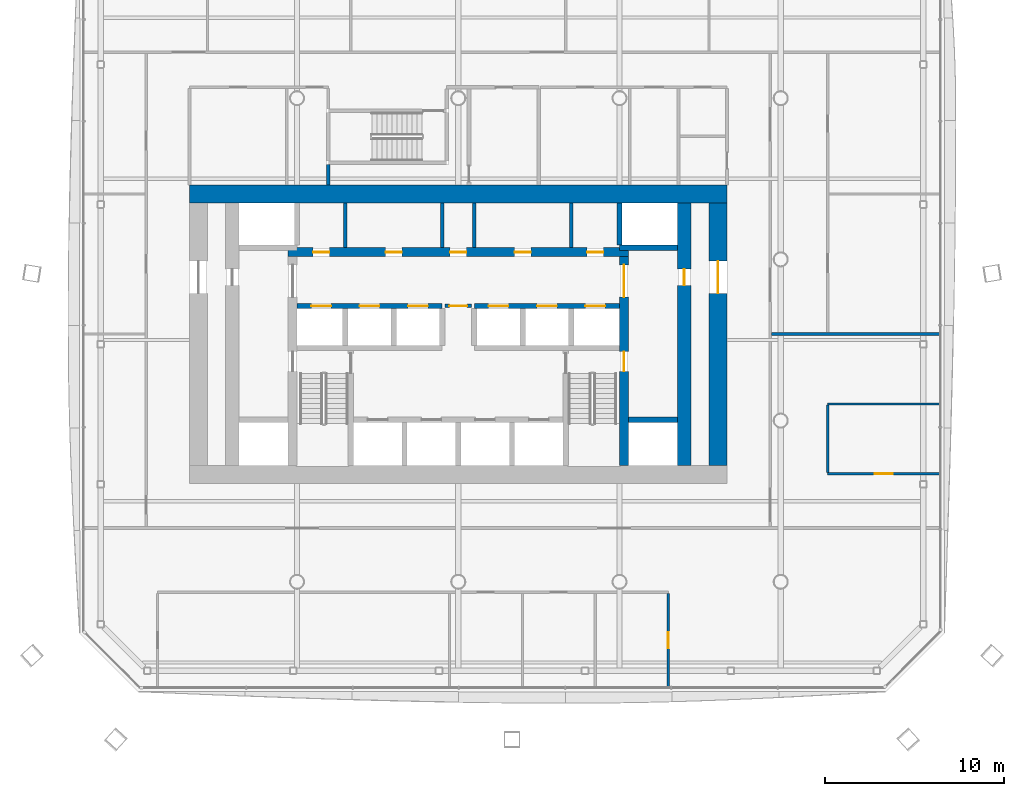
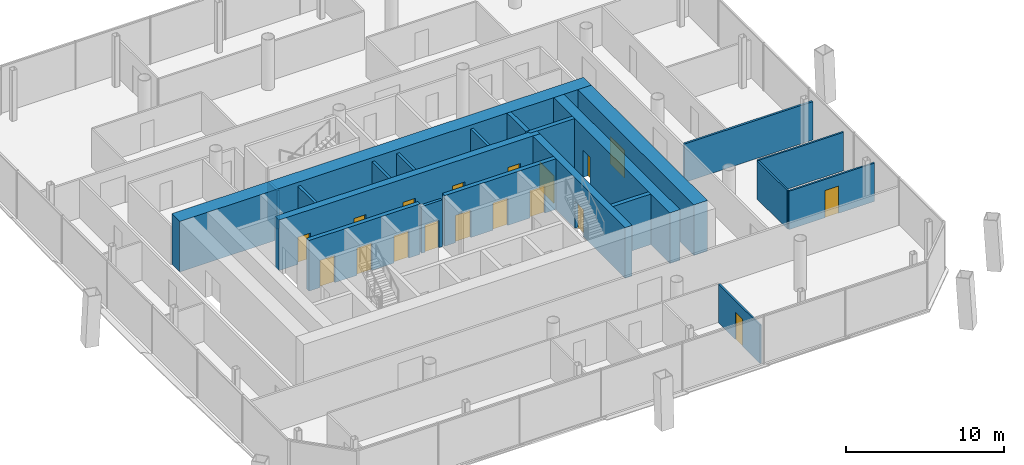
# One storey, part 12 of 19: 21 walls, 18 doors, 18 openings.
"""IFC4 building model written with IfcOpenShell, lengths in metres."""

import ifcopenshell
import ifcopenshell.guid

model = None  # the IFC model being written
_history = None  # IfcOwnerHistory: only IFC2X3 demands one
_inside = {}  # id of a spatial element -> (the spatial element, [elements in it])
_under = {}  # id of a project, library or spatial element -> (it, [spatial elements below it])
_declared = {}  # id of a project -> (the project, [libraries it declares])
_typed = {}  # id of a type object -> (the type object, [elements of that type])
_made_of = {}  # id of a material, layer set ... -> (it, [elements and type objects made of it])


def new_model(schema):
    """Start an empty IFC model of exactly this schema.

    Asked for "IFC4X3", IfcOpenShell would pick the latest addendum, in which some entities
    have other attributes; the version numbers below select the first issue.
    IFC2X3 requires an IfcOwnerHistory on every rooted entity: one is made here for all.
    """
    global model, _history
    if schema == "IFC4X3":
        model = ifcopenshell.file(schema_version=(4, 3, 0, 0))
    else:
        model = ifcopenshell.file(schema=schema)
    _inside.clear()
    _under.clear()
    _declared.clear()
    _typed.clear()
    _made_of.clear()
    _history = None
    if model.schema == "IFC2X3":
        org = make("IfcOrganization", Name="unknown")
        user = make(
            "IfcPersonAndOrganization",
            ThePerson=make("IfcPerson", FamilyName="unknown"),
            TheOrganization=org,
        )
        app = make(
            "IfcApplication",
            ApplicationDeveloper=org,
            Version="unknown",
            ApplicationFullName="unknown",
            ApplicationIdentifier="unknown",
        )
        _history = make(
            "IfcOwnerHistory",
            OwningUser=user,
            OwningApplication=app,
            ChangeAction="ADDED",
            CreationDate=0,
        )
    return model


def make(cls, **values):
    """One entity of the class cls with the attributes given. An attribute that is None is left unset."""
    return model.create_entity(
        cls, **{name: value for name, value in values.items() if value is not None}
    )


def rooted(cls, **values):
    """An entity with a GlobalId (a new one), such as an element, a storey or a relation."""
    return make(cls, GlobalId=ifcopenshell.guid.new(), OwnerHistory=_history, **values)


def si_unit(unit_type, name, prefix=None):
    """IfcSIUnit, for example si_unit("LENGTHUNIT", "METRE", prefix="MILLI")."""
    return make("IfcSIUnit", UnitType=unit_type, Prefix=prefix, Name=name)


def assignment(units):
    """IfcUnitAssignment: the units of a project."""
    return None if units is None else make("IfcUnitAssignment", Units=units)


def point(xyz):
    """IfcCartesianPoint."""
    return None if xyz is None else make("IfcCartesianPoint", Coordinates=xyz)


def direction(xyz):
    """IfcDirection."""
    return None if xyz is None else make("IfcDirection", DirectionRatios=xyz)


def frame(location, z_axis=None, x_axis=None):
    """IfcAxis2Placement3D, a coordinate frame: its origin and axes. An axis left out is left unset."""
    return make(
        "IfcAxis2Placement3D",
        Location=point(location),
        Axis=direction(z_axis),
        RefDirection=direction(x_axis),
    )


def frame_2d(location, x_axis=None):
    """IfcAxis2Placement2D, a coordinate frame in the plane: its origin and x axis."""
    return make(
        "IfcAxis2Placement2D", Location=point(location), RefDirection=direction(x_axis)
    )


def origin():
    """The frame at (0, 0, 0) with its axes left unset."""
    return frame((0.0, 0.0, 0.0))


def place(relative_to, where):
    """IfcLocalPlacement: puts the frame where relative to a parent placement (None: the world)."""
    return make(
        "IfcLocalPlacement", PlacementRelTo=relative_to, RelativePlacement=where
    )


def context(
    kind, dimensions, precision=None, world=None, true_north=None, identifier=None
):
    """IfcGeometricRepresentationContext, for example the 3D "Model" context."""
    return make(
        "IfcGeometricRepresentationContext",
        ContextIdentifier=identifier,
        ContextType=kind,
        CoordinateSpaceDimension=dimensions,
        Precision=precision,
        WorldCoordinateSystem=world,
        TrueNorth=true_north,
    )


def subcontext(parent, identifier, kind, view, scale=None):
    """IfcGeometricRepresentationSubContext, for example "Body" below "Model"."""
    return make(
        "IfcGeometricRepresentationSubContext",
        ContextIdentifier=identifier,
        ContextType=kind,
        ParentContext=parent,
        TargetScale=scale,
        TargetView=view,
    )


def project(units=None, contexts=None):
    """IfcProject with its units and contexts."""
    return rooted(
        "IfcProject",
        Name="project",
        RepresentationContexts=contexts,
        UnitsInContext=assignment(units),
    )


def spatial(cls, under=None, at=None, **own):
    """A site, building, storey or space (cls), placed at a placement, below another one or the project."""
    s = rooted(cls, ObjectPlacement=at, **own)
    if under is not None:
        _under.setdefault(under.id(), (under, []))[1].append(s)
    return s


def profile(cls, at=None, kind="AREA", **sizes):
    """A parametric profile (cls). Its sizes go by their IFC names, for example OverallWidth=200.0."""
    return make(cls, ProfileType=kind, Position=at, **sizes)


def rectangle(**sizes):
    """IfcRectangleProfileDef."""
    return profile("IfcRectangleProfileDef", **sizes)


def extrude(swept, where, along, depth):
    """IfcExtrudedAreaSolid: the profile swept, set in the frame where, extruded along a direction by depth."""
    return make(
        "IfcExtrudedAreaSolid",
        SweptArea=swept,
        Position=where,
        ExtrudedDirection=direction(along),
        Depth=depth,
    )


def shape(context_of_items, identifier, shape_type, items):
    """IfcShapeRepresentation: the items that make up one representation, for example the "Body"."""
    return make(
        "IfcShapeRepresentation",
        ContextOfItems=context_of_items,
        RepresentationIdentifier=identifier,
        RepresentationType=shape_type,
        Items=items,
    )


def material(Name=None, Category=None):
    """IfcMaterial."""
    return make("IfcMaterial", Name=Name, Category=Category)


def layer(
    of_material, thickness, ventilated=None, Name=None, Category=None, Priority=None
):
    """IfcMaterialLayer: one layer of a wall or slab, of a material (None: an air gap)."""
    return make(
        "IfcMaterialLayer",
        Material=of_material,
        LayerThickness=thickness,
        IsVentilated=ventilated,
        Name=Name,
        Category=Category,
        Priority=Priority,
    )


def layer_set(layers, Name=None):
    """IfcMaterialLayerSet."""
    return make("IfcMaterialLayerSet", MaterialLayers=layers, LayerSetName=Name)


def made_of(thing, what):
    """Note that an element or type object is made of a material, layer set ...; save() writes the relation."""
    if what is not None:
        _made_of.setdefault(what.id(), (what, []))[1].append(thing)
    return thing


def type_object(cls, material=None, **own):
    """A type object (cls), such as IfcWallType, which elements share."""
    return made_of(rooted(cls, **own), material)


def element(
    cls,
    number,
    at=None,
    inside=None,
    cuts=None,
    type_object=None,
    material=None,
    context=None,
    identifier="Body",
    shape_type=None,
    held_by="IfcProductDefinitionShape",
    body=None,
    shapes=None,
    **own,
):
    """One element of the class cls, such as IfcWall. Its Tag is "e" and its number.

    at: its placement. inside: the storey or other place that contains it. cuts: it is an
    opening in that element (IfcRelVoidsElement). A single representation is given by context,
    identifier, shape_type and body (its items); several are given by shapes. held_by: the class
    of the entity that holds the representations. save() writes the other relations.
    """
    e = rooted(cls, Tag="e%d" % number, ObjectPlacement=at, **own)
    if body is not None:
        shapes = [shape(context, identifier, shape_type, body)]
    if shapes is not None:
        e.Representation = make(held_by, Representations=shapes)
    if inside is not None:
        _inside.setdefault(inside.id(), (inside, []))[1].append(e)
    if cuts is not None:
        rooted(
            "IfcRelVoidsElement", RelatingBuildingElement=cuts, RelatedOpeningElement=e
        )
    if type_object is not None:
        _typed.setdefault(type_object.id(), (type_object, []))[1].append(e)
    return made_of(e, material)


def fill(opening, filler):
    """IfcRelFillsElement: the door or window that sits in an opening."""
    return rooted(
        "IfcRelFillsElement",
        RelatingOpeningElement=opening,
        RelatedBuildingElement=filler,
    )


def aggregate(whole, parts):
    """IfcRelAggregates: a whole, such as a stair, and the parts it consists of."""
    return rooted("IfcRelAggregates", RelatingObject=whole, RelatedObjects=parts)


def save(model, path):
    """Write the relations noted so far, then the file.

    IfcRelAggregates (storeys below a building ...), IfcRelContainedInSpatialStructure (elements
    in a storey), IfcRelDefinesByType, IfcRelAssociatesMaterial and IfcRelDeclares: one each for
    every whole, place, type object, material and project.
    """
    for whole, parts in _under.values():
        aggregate(whole, parts)
    for where, things in _inside.values():
        rooted(
            "IfcRelContainedInSpatialStructure",
            RelatedElements=things,
            RelatingStructure=where,
        )
    for kind, things in _typed.values():
        rooted("IfcRelDefinesByType", RelatedObjects=things, RelatingType=kind)
    for what, things in _made_of.values():
        rooted("IfcRelAssociatesMaterial", RelatedObjects=things, RelatingMaterial=what)
    for by, libraries in _declared.values():
        rooted("IfcRelDeclares", RelatingContext=by, RelatedDefinitions=libraries)
    model.write(path)


model = new_model("IFC4")

# Units and contexts
model_context = context("Model", 3, precision=1e-05, world=origin(), true_north=direction((0.0, 1.0)))
body_context = subcontext(model_context, "Body", "Model", "MODEL_VIEW")
ifc_project = project(units=[si_unit("LENGTHUNIT", "METRE"), si_unit("AREAUNIT", "SQUARE_METRE"), si_unit("VOLUMEUNIT", "CUBIC_METRE"), si_unit("PLANEANGLEUNIT", "RADIAN"), si_unit("MASSUNIT", "GRAM", prefix="KILO")], contexts=[model_context])

# Site, building, storey
site_placement = place(None, origin())
site = spatial("IfcSite", under=ifc_project, at=site_placement, CompositionType="ELEMENT")
building_placement = place(site_placement, origin())
building = spatial("IfcBuilding", under=site, at=building_placement, Name="Tskaro Facet Tower", CompositionType="ELEMENT")
storey_placement = place(building_placement, frame((0.0, 0.0, 101.10009765625)))
storey = spatial("IfcBuildingStorey", under=building, at=storey_placement, Name="L24", CompositionType="ELEMENT", Elevation=101.10009765625)

# Wall
ifc_material_1 = material(Name="Concrete C60/75", Category="concrete")
ifc_layer_1 = layer(ifc_material_1, 0.300048828125, Name="Concrete C60/75")
ifc_layer_set_1 = layer_set([ifc_layer_1], Name="Concrete C60/75")
wall_type_1 = type_object("IfcWallType", Name="CORE-SHAFT", PredefinedType="SHEAR", material=ifc_layer_set_1)
wall_1_placement = place(storey_placement, frame((9.5, -8.949951171875, 0.0), z_axis=(0.0, 0.0, 1.0), x_axis=(1.0, 0.0, 0.0)))
element("IfcWall", 1, at=wall_1_placement, inside=storey, type_object=wall_type_1, Name="Shaft wall W006", PredefinedType="SHEAR", context=body_context, shape_type="SweptSolid", body=[
    extrude(rectangle(XDim=2.75, YDim=0.300048828125, at=frame_2d((1.375, 0.0))), origin(), (0.0, 0.0, 1.0), 3.89990234375),
])

# Wall, openings, doors
wall_2_placement = place(storey_placement, frame((-9.0, -2.60009765625, 0.0), z_axis=(0.0, 0.0, 1.0), x_axis=(1.0, 0.0, 0.0)))
wall_2 = element("IfcWall", 2, at=wall_2_placement, inside=storey, type_object=wall_type_1, Name="Shaft wall W012", PredefinedType="SHEAR", context=body_context, shape_type="SweptSolid", body=[
    extrude(rectangle(XDim=8.10009765625, YDim=0.300048828125, at=frame_2d((4.050048828125, 0.0))), origin(), (0.0, 0.0, 1.0), 3.89990234375),
])
opening_1_placement = place(wall_2_placement, frame((0.800048828125, 0.0, 0.0)))
opening_1 = element("IfcOpeningElement", 3, at=opening_1_placement, cuts=wall_2, Name="Opening LD-LR1", PredefinedType="OPENING", context=body_context, shape_type="SweptSolid", body=[
    extrude(rectangle(XDim=1.10009765625, YDim=2.10009765625, at=frame_2d((0.550048828125, 1.050048828125))), frame((0.0, 0.159912109375, 0.0), z_axis=(0.0, -1.0, 0.0), x_axis=(1.0, 0.0, 0.0)), (0.0, 0.0, 1.0), 0.320068359375),
])
opening_2_placement = place(wall_2_placement, frame((3.5, 0.0, 0.0)))
opening_2 = element("IfcOpeningElement", 4, at=opening_2_placement, cuts=wall_2, Name="Opening LD-LR2", PredefinedType="OPENING", context=body_context, shape_type="SweptSolid", body=[
    extrude(rectangle(XDim=1.10009765625, YDim=2.10009765625, at=frame_2d((0.550048828125, 1.050048828125))), frame((0.0, 0.159912109375, 0.0), z_axis=(0.0, -1.0, 0.0), x_axis=(1.0, 0.0, 0.0)), (0.0, 0.0, 1.0), 0.320068359375),
])
opening_3_placement = place(wall_2_placement, frame((6.199951171875, 0.0, 0.0)))
opening_3 = element("IfcOpeningElement", 5, at=opening_3_placement, cuts=wall_2, Name="Opening LD-LR3", PredefinedType="OPENING", context=body_context, shape_type="SweptSolid", body=[
    extrude(rectangle(XDim=1.10009765625, YDim=2.10009765625, at=frame_2d((0.550048828125, 1.050048828125))), frame((0.0, 0.159912109375, 0.0), z_axis=(0.0, -1.0, 0.0), x_axis=(1.0, 0.0, 0.0)), (0.0, 0.0, 1.0), 0.320068359375),
])
ifc_material_2 = material(Name="Stainless steel", Category="steel")
door_type_1 = type_object("IfcDoorType", Name="D-LANDING", OperationType="NOTDEFINED", PredefinedType="DOOR", material=ifc_material_2)
door_1_placement = place(opening_1_placement, origin())
door_1 = element("IfcDoor", 6, at=door_1_placement, inside=storey, type_object=door_type_1, Name="Landing door LR1", OperationType="DOUBLE_DOOR_SLIDING", OverallHeight=2.10009765625, OverallWidth=1.10009765625, PredefinedType="DOOR", context=body_context, shape_type="SweptSolid", body=[
    extrude(rectangle(XDim=1.10009765625, YDim=2.10009765625, at=frame_2d((0.550048828125, 1.050048828125))), frame((0.0, 0.02490234375, 0.0), z_axis=(0.0, -1.0, 0.0), x_axis=(1.0, 0.0, 0.0)), (0.0, 0.0, 1.0), 0.050048828125),
])
fill(opening_1, door_1)
door_2_placement = place(opening_2_placement, origin())
door_2 = element("IfcDoor", 7, at=door_2_placement, inside=storey, type_object=door_type_1, Name="Landing door LR2", OperationType="DOUBLE_DOOR_SLIDING", OverallHeight=2.10009765625, OverallWidth=1.10009765625, PredefinedType="DOOR", context=body_context, shape_type="SweptSolid", body=[
    extrude(rectangle(XDim=1.10009765625, YDim=2.10009765625, at=frame_2d((0.550048828125, 1.050048828125))), frame((0.0, 0.02490234375, 0.0), z_axis=(0.0, -1.0, 0.0), x_axis=(1.0, 0.0, 0.0)), (0.0, 0.0, 1.0), 0.050048828125),
])
fill(opening_2, door_2)
door_3_placement = place(opening_3_placement, origin())
door_3 = element("IfcDoor", 8, at=door_3_placement, inside=storey, type_object=door_type_1, Name="Landing door LR3", OperationType="DOUBLE_DOOR_SLIDING", OverallHeight=2.10009765625, OverallWidth=1.10009765625, PredefinedType="DOOR", context=body_context, shape_type="SweptSolid", body=[
    extrude(rectangle(XDim=1.10009765625, YDim=2.10009765625, at=frame_2d((0.550048828125, 1.050048828125))), frame((0.0, 0.02490234375, 0.0), z_axis=(0.0, -1.0, 0.0), x_axis=(1.0, 0.0, 0.0)), (0.0, 0.0, 1.0), 0.050048828125),
])
fill(opening_3, door_3)

wall_3_placement = place(storey_placement, frame((0.89990234375, -2.60009765625, 0.0), z_axis=(0.0, 0.0, 1.0), x_axis=(1.0, 0.0, 0.0)))
wall_3 = element("IfcWall", 9, at=wall_3_placement, inside=storey, type_object=wall_type_1, Name="Shaft wall W014", PredefinedType="SHEAR", context=body_context, shape_type="SweptSolid", body=[
    extrude(rectangle(XDim=8.10009765625, YDim=0.300048828125, at=frame_2d((4.050048828125, 0.0))), origin(), (0.0, 0.0, 1.0), 3.89990234375),
])
opening_4_placement = place(wall_3_placement, frame((0.800048828125, 0.0, 0.0)))
opening_4 = element("IfcOpeningElement", 10, at=opening_4_placement, cuts=wall_3, Name="Opening LD-LR4", PredefinedType="OPENING", context=body_context, shape_type="SweptSolid", body=[
    extrude(rectangle(XDim=1.10009765625, YDim=2.10009765625, at=frame_2d((0.550048828125, 1.050048828125))), frame((0.0, 0.159912109375, 0.0), z_axis=(0.0, -1.0, 0.0), x_axis=(1.0, 0.0, 0.0)), (0.0, 0.0, 1.0), 0.320068359375),
])
opening_5_placement = place(wall_3_placement, frame((3.5, 0.0, 0.0)))
opening_5 = element("IfcOpeningElement", 11, at=opening_5_placement, cuts=wall_3, Name="Opening LD-LR5", PredefinedType="OPENING", context=body_context, shape_type="SweptSolid", body=[
    extrude(rectangle(XDim=1.10009765625, YDim=2.10009765625, at=frame_2d((0.550048828125, 1.050048828125))), frame((0.0, 0.159912109375, 0.0), z_axis=(0.0, -1.0, 0.0), x_axis=(1.0, 0.0, 0.0)), (0.0, 0.0, 1.0), 0.320068359375),
])
opening_6_placement = place(wall_3_placement, frame((6.199951171875, 0.0, 0.0)))
opening_6 = element("IfcOpeningElement", 12, at=opening_6_placement, cuts=wall_3, Name="Opening LD-LR6", PredefinedType="OPENING", context=body_context, shape_type="SweptSolid", body=[
    extrude(rectangle(XDim=1.10009765625, YDim=2.10009765625, at=frame_2d((0.550048828125, 1.050048828125))), frame((0.0, 0.159912109375, 0.0), z_axis=(0.0, -1.0, 0.0), x_axis=(1.0, 0.0, 0.0)), (0.0, 0.0, 1.0), 0.320068359375),
])
door_4_placement = place(opening_4_placement, origin())
door_4 = element("IfcDoor", 13, at=door_4_placement, inside=storey, type_object=door_type_1, Name="Landing door LR4", OperationType="DOUBLE_DOOR_SLIDING", OverallHeight=2.10009765625, OverallWidth=1.10009765625, PredefinedType="DOOR", context=body_context, shape_type="SweptSolid", body=[
    extrude(rectangle(XDim=1.10009765625, YDim=2.10009765625, at=frame_2d((0.550048828125, 1.050048828125))), frame((0.0, 0.02490234375, 0.0), z_axis=(0.0, -1.0, 0.0), x_axis=(1.0, 0.0, 0.0)), (0.0, 0.0, 1.0), 0.050048828125),
])
fill(opening_4, door_4)
door_5_placement = place(opening_5_placement, origin())
door_5 = element("IfcDoor", 14, at=door_5_placement, inside=storey, type_object=door_type_1, Name="Landing door LR5", OperationType="DOUBLE_DOOR_SLIDING", OverallHeight=2.10009765625, OverallWidth=1.10009765625, PredefinedType="DOOR", context=body_context, shape_type="SweptSolid", body=[
    extrude(rectangle(XDim=1.10009765625, YDim=2.10009765625, at=frame_2d((0.550048828125, 1.050048828125))), frame((0.0, 0.02490234375, 0.0), z_axis=(0.0, -1.0, 0.0), x_axis=(1.0, 0.0, 0.0)), (0.0, 0.0, 1.0), 0.050048828125),
])
fill(opening_5, door_5)
door_6_placement = place(opening_6_placement, origin())
door_6 = element("IfcDoor", 15, at=door_6_placement, inside=storey, type_object=door_type_1, Name="Landing door LR6", OperationType="DOUBLE_DOOR_SLIDING", OverallHeight=2.10009765625, OverallWidth=1.10009765625, PredefinedType="DOOR", context=body_context, shape_type="SweptSolid", body=[
    extrude(rectangle(XDim=1.10009765625, YDim=2.10009765625, at=frame_2d((0.550048828125, 1.050048828125))), frame((0.0, 0.02490234375, 0.0), z_axis=(0.0, -1.0, 0.0), x_axis=(1.0, 0.0, 0.0)), (0.0, 0.0, 1.0), 0.050048828125),
])
fill(opening_6, door_6)

# Walls
wall_4_placement = place(storey_placement, frame((12.25, 0.64990234375, 0.0), z_axis=(0.0, 0.0, 1.0), x_axis=(-1.0, 0.0, 0.0)))
element("IfcWall", 16, at=wall_4_placement, inside=storey, type_object=wall_type_1, Name="Shaft wall W016", PredefinedType="SHEAR", context=body_context, shape_type="SweptSolid", body=[
    extrude(rectangle(XDim=3.25, YDim=0.300048828125, at=frame_2d((1.625, 0.0))), origin(), (0.0, 0.0, 1.0), 3.89990234375),
])
wall_5_placement = place(storey_placement, frame((9.0, 0.800048828125, 0.0), z_axis=(0.0, 0.0, 1.0), x_axis=(0.0, 1.0, 0.0)))
element("IfcWall", 17, at=wall_5_placement, inside=storey, type_object=wall_type_1, Name="Shaft wall W064", PredefinedType="SHEAR", context=body_context, shape_type="SweptSolid", body=[
    extrude(rectangle(XDim=2.349853515625, YDim=0.300048828125, at=frame_2d((1.1748046875, 0.0))), origin(), (0.0, 0.0, 1.0), 3.89990234375),
])

# Wall, opening, door
ifc_material_3 = material(Name="Concrete C20/25", Category="concrete")
ifc_layer_2 = layer(ifc_material_3, 0.199951171875, Name="Concrete C20/25")
ifc_layer_set_2 = layer_set([ifc_layer_2], Name="Concrete C20/25")
wall_type_2 = type_object("IfcWallType", Name="CORE-WALL", PredefinedType="SOLIDWALL", material=ifc_layer_set_2)
wall_6_placement = place(storey_placement, frame((0.75, -2.60009765625, 0.0), z_axis=(0.0, 0.0, 1.0), x_axis=(-1.0, 0.0, 0.0)))
wall_6 = element("IfcWall", 18, at=wall_6_placement, inside=storey, type_object=wall_type_2, Name="Core room wall W013", PredefinedType="SOLIDWALL", context=body_context, shape_type="SweptSolid", body=[
    extrude(rectangle(XDim=1.5, YDim=0.199951171875, at=frame_2d((0.75, 0.0))), origin(), (0.0, 0.0, 1.0), 3.599853515625),
])
opening_7_placement = place(wall_6_placement, frame((0.25, 0.0, 0.0)))
opening_7 = element("IfcOpeningElement", 19, at=opening_7_placement, cuts=wall_6, Name="Opening FL-D1", PredefinedType="OPENING", context=body_context, shape_type="SweptSolid", body=[
    extrude(rectangle(XDim=1.0, YDim=2.10009765625, at=frame_2d((0.5, 1.050048828125))), frame((0.0, 0.10986328125, 0.0), z_axis=(0.0, -1.0, 0.0), x_axis=(1.0, 0.0, 0.0)), (0.0, 0.0, 1.0), 0.219970703125),
])
ifc_material_4 = material(Name="Steel", Category="steel")
door_type_2 = type_object("IfcDoorType", Name="D-LOBBY", OperationType="NOTDEFINED", PredefinedType="DOOR", material=ifc_material_4)
door_7_placement = place(opening_7_placement, origin())
door_7 = element("IfcDoor", 20, at=door_7_placement, inside=storey, type_object=door_type_2, Name="Lobby door FL", OperationType="SINGLE_SWING_RIGHT", OverallHeight=2.10009765625, OverallWidth=1.0, PredefinedType="DOOR", context=body_context, shape_type="SweptSolid", body=[
    extrude(rectangle(XDim=1.0, YDim=2.10009765625, at=frame_2d((0.5, 1.050048828125))), frame((0.0, 0.02490234375, 0.0), z_axis=(0.0, -1.0, 0.0), x_axis=(1.0, 0.0, 0.0)), (0.0, 0.0, 1.0), 0.050048828125),
])
fill(opening_7, door_7)

# Walls
for number, where, z_axis, x_axis, name in (
    (21, (-6.300048828125, 0.64990234375, 0.0), (0.0, 0.0, 1.0), (0.0, 1.0, 0.0), "Core room wall W040"),
    (22, (-0.89990234375, 0.64990234375, 0.0), (0.0, 0.0, 1.0), (0.0, 1.0, 0.0), "Core room wall W046"),
    (23, (0.89990234375, 0.64990234375, 0.0), (0.0, 0.0, 1.0), (0.0, 1.0, 0.0), "Core room wall W053"),
    (24, (6.300048828125, 0.64990234375, 0.0), (0.0, 0.0, 1.0), (0.0, 1.0, 0.0), "Core room wall W061"),
):
    element("IfcWall", number, at=place(storey_placement, frame(where, z_axis=z_axis, x_axis=x_axis)), inside=storey, type_object=wall_type_2, Name=name, PredefinedType="SOLIDWALL", context=body_context, shape_type="SweptSolid", body=[
        extrude(rectangle(XDim=2.5, YDim=0.199951171875, at=frame_2d((1.25, 0.0))), origin(), (0.0, 0.0, 1.0), 3.599853515625),
    ])
ifc_layer_3 = layer(ifc_material_1, 1.0, Name="Concrete C60/75")
ifc_layer_set_3 = layer_set([ifc_layer_3], Name="Concrete C60/75")
wall_type_3 = type_object("IfcWallType", Name="Core wall 1000", PredefinedType="SHEAR", material=ifc_layer_set_3)
wall_7_placement = place(storey_placement, frame((-15.0, 3.64990234375, 0.0), z_axis=(0.0, 0.0, 1.0), x_axis=(1.0, 0.0, 0.0)))
element("IfcWall", 25, at=wall_7_placement, inside=storey, type_object=wall_type_3, Name="Core wall CW-Z1N", PredefinedType="SHEAR", context=body_context, shape_type="SweptSolid", body=[
    extrude(rectangle(XDim=30.0, YDim=1.0, at=frame_2d((15.0, 0.0))), origin(), (0.0, 0.0, 1.0), 3.89990234375),
])

# Wall, opening, door
wall_8_placement = place(storey_placement, frame((14.5, -11.5, 0.0), z_axis=(0.0, 0.0, 1.0), x_axis=(0.0, 1.0, 0.0)))
wall_8 = element("IfcWall", 26, at=wall_8_placement, inside=storey, type_object=wall_type_3, Name="Core wall CW-Z1E", PredefinedType="SHEAR", context=body_context, shape_type="SweptSolid", body=[
    extrude(rectangle(XDim=14.64990234375, YDim=1.0, at=frame_2d((7.324951171875, 0.0))), origin(), (0.0, 0.0, 1.0), 3.89990234375),
])
opening_8_placement = place(wall_8_placement, frame((9.60009765625, 0.0, 0.0)))
opening_8 = element("IfcOpeningElement", 27, at=opening_8_placement, cuts=wall_8, Name="Opening T7-D18", PredefinedType="OPENING", context=body_context, shape_type="SweptSolid", body=[
    extrude(rectangle(XDim=1.800048828125, YDim=2.10009765625, at=frame_2d((0.89990234375, 1.050048828125))), frame((0.0, 0.510009765625, 0.0), z_axis=(0.0, -1.0, 0.0), x_axis=(1.0, 0.0, 0.0)), (0.0, 0.0, 1.0), 1.02001953125),
])
door_type_3 = type_object("IfcDoorType", Name="D-CORE-PAIR", OperationType="NOTDEFINED", PredefinedType="DOOR", material=ifc_material_4)
door_8_placement = place(opening_8_placement, origin())
door_8 = element("IfcDoor", 28, at=door_8_placement, inside=storey, type_object=door_type_3, Name="Door T7-D18", OperationType="DOUBLE_DOOR_SINGLE_SWING", OverallHeight=2.10009765625, OverallWidth=1.800048828125, PredefinedType="DOOR", context=body_context, shape_type="SweptSolid", body=[
    extrude(rectangle(XDim=1.800048828125, YDim=2.10009765625, at=frame_2d((0.89990234375, 1.050048828125))), frame((0.0, 0.02490234375, 0.0), z_axis=(0.0, -1.0, 0.0), x_axis=(1.0, 0.0, 0.0)), (0.0, 0.0, 1.0), 0.050048828125),
])
fill(opening_8, door_8)

# Wall, openings, doors
ifc_material_5 = material(Name="Concrete C40/50", Category="concrete")
ifc_layer_4 = layer(ifc_material_5, 0.5, Name="Concrete C40/50")
ifc_layer_set_4 = layer_set([ifc_layer_4], Name="Concrete C40/50")
wall_type_4 = type_object("IfcWallType", Name="Core wall 500", PredefinedType="SHEAR", material=ifc_layer_set_4)
wall_9_placement = place(storey_placement, frame((-9.5, 0.39990234375, 0.0), z_axis=(0.0, 0.0, 1.0), x_axis=(1.0, 0.0, 0.0)))
wall_9 = element("IfcWall", 29, at=wall_9_placement, inside=storey, type_object=wall_type_4, Name="Core wall CW-Z3N", PredefinedType="SHEAR", context=body_context, shape_type="SweptSolid", body=[
    extrude(rectangle(XDim=19.0, YDim=0.5, at=frame_2d((9.5, 0.0))), origin(), (0.0, 0.0, 1.0), 3.89990234375),
])
opening_9_placement = place(wall_9_placement, frame((1.39990234375, 0.0, 0.0)))
opening_9 = element("IfcOpeningElement", 30, at=opening_9_placement, cuts=wall_9, Name="Opening T7-D21", PredefinedType="OPENING", context=body_context, shape_type="SweptSolid", body=[
    extrude(rectangle(XDim=0.89990234375, YDim=2.10009765625, at=frame_2d((0.449951171875, 1.050048828125))), frame((0.0, 0.260009765625, 0.0), z_axis=(0.0, -1.0, 0.0), x_axis=(1.0, 0.0, 0.0)), (0.0, 0.0, 1.0), 0.52001953125),
])
opening_10_placement = place(wall_9_placement, frame((5.449951171875, 0.0, 0.0)))
opening_10 = element("IfcOpeningElement", 31, at=opening_10_placement, cuts=wall_9, Name="Opening T7-D22", PredefinedType="OPENING", context=body_context, shape_type="SweptSolid", body=[
    extrude(rectangle(XDim=0.89990234375, YDim=2.10009765625, at=frame_2d((0.449951171875, 1.050048828125))), frame((0.0, 0.260009765625, 0.0), z_axis=(0.0, -1.0, 0.0), x_axis=(1.0, 0.0, 0.0)), (0.0, 0.0, 1.0), 0.52001953125),
])
opening_11_placement = place(wall_9_placement, frame((12.64990234375, 0.0, 0.0)))
opening_11 = element("IfcOpeningElement", 32, at=opening_11_placement, cuts=wall_9, Name="Opening T7-D24", PredefinedType="OPENING", context=body_context, shape_type="SweptSolid", body=[
    extrude(rectangle(XDim=0.89990234375, YDim=2.10009765625, at=frame_2d((0.449951171875, 1.050048828125))), frame((0.0, 0.260009765625, 0.0), z_axis=(0.0, -1.0, 0.0), x_axis=(1.0, 0.0, 0.0)), (0.0, 0.0, 1.0), 0.52001953125),
])
opening_12_placement = place(wall_9_placement, frame((16.699951171875, 0.0, 0.0)))
opening_12 = element("IfcOpeningElement", 33, at=opening_12_placement, cuts=wall_9, Name="Opening T7-D25", PredefinedType="OPENING", context=body_context, shape_type="SweptSolid", body=[
    extrude(rectangle(XDim=0.89990234375, YDim=2.10009765625, at=frame_2d((0.449951171875, 1.050048828125))), frame((0.0, 0.260009765625, 0.0), z_axis=(0.0, -1.0, 0.0), x_axis=(1.0, 0.0, 0.0)), (0.0, 0.0, 1.0), 0.52001953125),
])
opening_13_placement = place(wall_9_placement, frame((9.050048828125, 0.0, 0.0)))
opening_13 = element("IfcOpeningElement", 34, at=opening_13_placement, cuts=wall_9, Name="Opening T7-D23", PredefinedType="OPENING", context=body_context, shape_type="SweptSolid", body=[
    extrude(rectangle(XDim=0.89990234375, YDim=2.10009765625, at=frame_2d((0.449951171875, 1.050048828125))), frame((0.0, 0.260009765625, 0.0), z_axis=(0.0, -1.0, 0.0), x_axis=(1.0, 0.0, 0.0)), (0.0, 0.0, 1.0), 0.52001953125),
])
door_type_4 = type_object("IfcDoorType", Name="D-RISER", OperationType="NOTDEFINED", PredefinedType="DOOR", material=ifc_material_4)
door_9_placement = place(opening_13_placement, origin())
door_9 = element("IfcDoor", 35, at=door_9_placement, inside=storey, type_object=door_type_4, Name="Door T7-D23", OperationType="SINGLE_SWING_LEFT", OverallHeight=2.10009765625, OverallWidth=0.89990234375, PredefinedType="DOOR", context=body_context, shape_type="SweptSolid", body=[
    extrude(rectangle(XDim=0.89990234375, YDim=2.10009765625, at=frame_2d((0.449951171875, 1.050048828125))), frame((0.0, 0.02490234375, 0.0), z_axis=(0.0, -1.0, 0.0), x_axis=(1.0, 0.0, 0.0)), (0.0, 0.0, 1.0), 0.050048828125),
])
fill(opening_13, door_9)
ifc_material_6 = material(Name="Timber", Category="wood")
door_type_5 = type_object("IfcDoorType", Name="D-ROOM", OperationType="NOTDEFINED", PredefinedType="DOOR", material=ifc_material_6)
door_10_placement = place(opening_9_placement, origin())
door_10 = element("IfcDoor", 36, at=door_10_placement, inside=storey, type_object=door_type_5, Name="Door T7-D21", OperationType="SINGLE_SWING_LEFT", OverallHeight=2.10009765625, OverallWidth=0.89990234375, PredefinedType="DOOR", context=body_context, shape_type="SweptSolid", body=[
    extrude(rectangle(XDim=0.89990234375, YDim=2.10009765625, at=frame_2d((0.449951171875, 1.050048828125))), frame((0.0, 0.02490234375, 0.0), z_axis=(0.0, -1.0, 0.0), x_axis=(1.0, 0.0, 0.0)), (0.0, 0.0, 1.0), 0.050048828125),
])
fill(opening_9, door_10)
door_11_placement = place(opening_10_placement, origin())
door_11 = element("IfcDoor", 37, at=door_11_placement, inside=storey, type_object=door_type_5, Name="Door T7-D22", OperationType="SINGLE_SWING_LEFT", OverallHeight=2.10009765625, OverallWidth=0.89990234375, PredefinedType="DOOR", context=body_context, shape_type="SweptSolid", body=[
    extrude(rectangle(XDim=0.89990234375, YDim=2.10009765625, at=frame_2d((0.449951171875, 1.050048828125))), frame((0.0, 0.02490234375, 0.0), z_axis=(0.0, -1.0, 0.0), x_axis=(1.0, 0.0, 0.0)), (0.0, 0.0, 1.0), 0.050048828125),
])
fill(opening_10, door_11)
door_12_placement = place(opening_11_placement, origin())
door_12 = element("IfcDoor", 38, at=door_12_placement, inside=storey, type_object=door_type_5, Name="Door T7-D24", OperationType="SINGLE_SWING_LEFT", OverallHeight=2.10009765625, OverallWidth=0.89990234375, PredefinedType="DOOR", context=body_context, shape_type="SweptSolid", body=[
    extrude(rectangle(XDim=0.89990234375, YDim=2.10009765625, at=frame_2d((0.449951171875, 1.050048828125))), frame((0.0, 0.02490234375, 0.0), z_axis=(0.0, -1.0, 0.0), x_axis=(1.0, 0.0, 0.0)), (0.0, 0.0, 1.0), 0.050048828125),
])
fill(opening_11, door_12)
door_13_placement = place(opening_12_placement, origin())
door_13 = element("IfcDoor", 39, at=door_13_placement, inside=storey, type_object=door_type_5, Name="Door T7-D25", OperationType="SINGLE_SWING_LEFT", OverallHeight=2.10009765625, OverallWidth=0.89990234375, PredefinedType="DOOR", context=body_context, shape_type="SweptSolid", body=[
    extrude(rectangle(XDim=0.89990234375, YDim=2.10009765625, at=frame_2d((0.449951171875, 1.050048828125))), frame((0.0, 0.02490234375, 0.0), z_axis=(0.0, -1.0, 0.0), x_axis=(1.0, 0.0, 0.0)), (0.0, 0.0, 1.0), 0.050048828125),
])
fill(opening_12, door_13)

wall_10_placement = place(storey_placement, frame((9.25, -11.5, 0.0), z_axis=(0.0, 0.0, 1.0), x_axis=(0.0, 1.0, 0.0)))
wall_10 = element("IfcWall", 40, at=wall_10_placement, inside=storey, type_object=wall_type_4, Name="Core wall CW-Z3E", PredefinedType="SHEAR", context=body_context, shape_type="SweptSolid", body=[
    extrude(rectangle(XDim=11.64990234375, YDim=0.5, at=frame_2d((5.824951171875, 0.0))), origin(), (0.0, 0.0, 1.0), 3.89990234375),
])
opening_14_placement = place(wall_10_placement, frame((9.39990234375, 0.0, 0.0)))
opening_14 = element("IfcOpeningElement", 41, at=opening_14_placement, cuts=wall_10, Name="Opening T7-D14", PredefinedType="OPENING", context=body_context, shape_type="SweptSolid", body=[
    extrude(rectangle(XDim=1.800048828125, YDim=2.10009765625, at=frame_2d((0.89990234375, 1.050048828125))), frame((0.0, 0.260009765625, 0.0), z_axis=(0.0, -1.0, 0.0), x_axis=(1.0, 0.0, 0.0)), (0.0, 0.0, 1.0), 0.52001953125),
])
opening_15_placement = place(wall_10_placement, frame((5.25, 0.0, 0.0)))
opening_15 = element("IfcOpeningElement", 42, at=opening_15_placement, cuts=wall_10, Name="Opening ST-2-D2", PredefinedType="OPENING", context=body_context, shape_type="SweptSolid", body=[
    extrude(rectangle(XDim=1.10009765625, YDim=2.10009765625, at=frame_2d((0.550048828125, 1.050048828125))), frame((0.0, 0.260009765625, 0.0), z_axis=(0.0, -1.0, 0.0), x_axis=(1.0, 0.0, 0.0)), (0.0, 0.0, 1.0), 0.52001953125),
])
door_14_placement = place(opening_14_placement, origin())
door_14 = element("IfcDoor", 43, at=door_14_placement, inside=storey, type_object=door_type_3, Name="Door T7-D14", OperationType="DOUBLE_DOOR_SINGLE_SWING", OverallHeight=2.10009765625, OverallWidth=1.800048828125, PredefinedType="DOOR", context=body_context, shape_type="SweptSolid", body=[
    extrude(rectangle(XDim=1.800048828125, YDim=2.10009765625, at=frame_2d((0.89990234375, 1.050048828125))), frame((0.0, 0.02490234375, 0.0), z_axis=(0.0, -1.0, 0.0), x_axis=(1.0, 0.0, 0.0)), (0.0, 0.0, 1.0), 0.050048828125),
])
fill(opening_14, door_14)
door_type_6 = type_object("IfcDoorType", Name="D-STAIR", OperationType="NOTDEFINED", PredefinedType="DOOR", material=ifc_material_4)
door_15_placement = place(opening_15_placement, origin())
door_15 = element("IfcDoor", 44, at=door_15_placement, inside=storey, type_object=door_type_6, Name="Stair door 2 east", OperationType="SINGLE_SWING_LEFT", OverallHeight=2.10009765625, OverallWidth=1.10009765625, PredefinedType="DOOR", context=body_context, shape_type="SweptSolid", body=[
    extrude(rectangle(XDim=1.10009765625, YDim=2.10009765625, at=frame_2d((0.550048828125, 1.050048828125))), frame((0.0, 0.02490234375, 0.0), z_axis=(0.0, -1.0, 0.0), x_axis=(1.0, 0.0, 0.0)), (0.0, 0.0, 1.0), 0.050048828125),
])
fill(opening_15, door_15)

# Wall, opening, door
ifc_material_7 = material(Name="Concrete C50/60", Category="concrete")
ifc_layer_5 = layer(ifc_material_7, 0.75, Name="Concrete C50/60")
ifc_layer_set_5 = layer_set([ifc_layer_5], Name="Concrete C50/60")
wall_type_5 = type_object("IfcWallType", Name="Core wall 750", PredefinedType="SHEAR", material=ifc_layer_set_5)
wall_11_placement = place(storey_placement, frame((12.625, -11.5, 0.0), z_axis=(0.0, 0.0, 1.0), x_axis=(0.0, 1.0, 0.0)))
wall_11 = element("IfcWall", 45, at=wall_11_placement, inside=storey, type_object=wall_type_5, Name="Core wall CW-Z2E", PredefinedType="SHEAR", context=body_context, shape_type="SweptSolid", body=[
    extrude(rectangle(XDim=14.64990234375, YDim=0.75, at=frame_2d((7.324951171875, 0.0))), origin(), (0.0, 0.0, 1.0), 3.89990234375),
])
opening_16_placement = place(wall_11_placement, frame((10.050048828125, 0.0, 0.0)))
opening_16 = element("IfcOpeningElement", 46, at=opening_16_placement, cuts=wall_11, Name="Opening T7-D17", PredefinedType="OPENING", context=body_context, shape_type="SweptSolid", body=[
    extrude(rectangle(XDim=0.89990234375, YDim=2.10009765625, at=frame_2d((0.449951171875, 1.050048828125))), frame((0.0, 0.385009765625, 0.0), z_axis=(0.0, -1.0, 0.0), x_axis=(1.0, 0.0, 0.0)), (0.0, 0.0, 1.0), 0.77001953125),
])
door_16_placement = place(opening_16_placement, origin())
door_16 = element("IfcDoor", 47, at=door_16_placement, inside=storey, type_object=door_type_5, Name="Door T7-D17", OperationType="SINGLE_SWING_LEFT", OverallHeight=2.10009765625, OverallWidth=0.89990234375, PredefinedType="DOOR", context=body_context, shape_type="SweptSolid", body=[
    extrude(rectangle(XDim=0.89990234375, YDim=2.10009765625, at=frame_2d((0.449951171875, 1.050048828125))), frame((0.0, 0.02490234375, 0.0), z_axis=(0.0, -1.0, 0.0), x_axis=(1.0, 0.0, 0.0)), (0.0, 0.0, 1.0), 0.050048828125),
])
fill(opening_16, door_16)

ifc_material_8 = material(Name="Gypsum board on steel studs", Category="steel")
ifc_layer_6 = layer(ifc_material_8, 0.125, Name="Gypsum board on steel studs")
ifc_layer_set_6 = layer_set([ifc_layer_6], Name="Gypsum board on steel studs")
wall_type_6 = type_object("IfcWallType", Name="PART", PredefinedType="PARTITIONING", material=ifc_layer_set_6)
wall_12_placement = place(storey_placement, frame((20.625, -11.972900390625, 0.0), z_axis=(0.0, 0.0, 1.0), x_axis=(1.0, 0.0, 0.0)))
wall_12 = element("IfcWall", 48, at=wall_12_placement, inside=storey, type_object=wall_type_6, Name="Partition W003", PredefinedType="PARTITIONING", context=body_context, shape_type="SweptSolid", body=[
    extrude(rectangle(XDim=6.239990234375, YDim=0.125, at=frame_2d((3.1201171875, 0.0))), origin(), (0.0, 0.0, 1.0), 2.9599609375),
])
opening_17_placement = place(wall_12_placement, frame((2.6201171875, 0.0, 0.0)))
opening_17 = element("IfcOpeningElement", 49, at=opening_17_placement, cuts=wall_12, Name="Opening T7-D09", PredefinedType="OPENING", context=body_context, shape_type="SweptSolid", body=[
    extrude(rectangle(XDim=1.0, YDim=2.10009765625, at=frame_2d((0.5, 1.050048828125))), frame((0.0, 0.072509765625, 0.0), z_axis=(0.0, -1.0, 0.0), x_axis=(1.0, 0.0, 0.0)), (0.0, 0.0, 1.0), 0.14501953125),
])
door_type_7 = type_object("IfcDoorType", Name="D-ROOM-WIDE", OperationType="NOTDEFINED", PredefinedType="DOOR", material=ifc_material_6)
door_17_placement = place(opening_17_placement, origin())
door_17 = element("IfcDoor", 50, at=door_17_placement, inside=storey, type_object=door_type_7, Name="Door T7-D09", OperationType="SINGLE_SWING_LEFT", OverallHeight=2.10009765625, OverallWidth=1.0, PredefinedType="DOOR", context=body_context, shape_type="SweptSolid", body=[
    extrude(rectangle(XDim=1.0, YDim=2.10009765625, at=frame_2d((0.5, 1.050048828125))), frame((0.0, 0.02490234375, 0.0), z_axis=(0.0, -1.0, 0.0), x_axis=(1.0, 0.0, 0.0)), (0.0, 0.0, 1.0), 0.050048828125),
])
fill(opening_17, door_17)

# Wall
wall_13_placement = place(storey_placement, frame((20.625, -8.068115234375, 0.0), z_axis=(0.0, 0.0, 1.0), x_axis=(1.0, 0.0, 0.0)))
element("IfcWall", 51, at=wall_13_placement, inside=storey, type_object=wall_type_6, Name="Partition W007", PredefinedType="PARTITIONING", context=body_context, shape_type="SweptSolid", body=[
    extrude(rectangle(XDim=6.239990234375, YDim=0.125, at=frame_2d((3.1201171875, 0.0))), origin(), (0.0, 0.0, 1.0), 2.9599609375),
])

# Wall, opening, door
wall_14_placement = place(storey_placement, frame((11.72607421875, -23.864990234375, 0.0), z_axis=(0.0, 0.0, 1.0), x_axis=(0.0, 1.0, 0.0)))
wall_14 = element("IfcWall", 52, at=wall_14_placement, inside=storey, type_object=wall_type_6, Name="Partition W066", PredefinedType="PARTITIONING", context=body_context, shape_type="SweptSolid", body=[
    extrude(rectangle(XDim=5.222412109375, YDim=0.125, at=frame_2d((2.611328125, 0.0))), origin(), (0.0, 0.0, 1.0), 2.9599609375),
])
opening_18_placement = place(wall_14_placement, frame((2.1611328125, 0.0, 0.0)))
opening_18 = element("IfcOpeningElement", 53, at=opening_18_placement, cuts=wall_14, Name="Opening T7-D02", PredefinedType="OPENING", context=body_context, shape_type="SweptSolid", body=[
    extrude(rectangle(XDim=0.89990234375, YDim=2.10009765625, at=frame_2d((0.449951171875, 1.050048828125))), frame((0.0, 0.072509765625, 0.0), z_axis=(0.0, -1.0, 0.0), x_axis=(1.0, 0.0, 0.0)), (0.0, 0.0, 1.0), 0.14501953125),
])
door_18_placement = place(opening_18_placement, origin())
door_18 = element("IfcDoor", 54, at=door_18_placement, inside=storey, type_object=door_type_5, Name="Door T7-D02", OperationType="SINGLE_SWING_LEFT", OverallHeight=2.10009765625, OverallWidth=0.89990234375, PredefinedType="DOOR", context=body_context, shape_type="SweptSolid", body=[
    extrude(rectangle(XDim=0.89990234375, YDim=2.10009765625, at=frame_2d((0.449951171875, 1.050048828125))), frame((0.0, 0.02490234375, 0.0), z_axis=(0.0, -1.0, 0.0), x_axis=(1.0, 0.0, 0.0)), (0.0, 0.0, 1.0), 0.050048828125),
])
fill(opening_18, door_18)

# Walls
wall_15_placement = place(storey_placement, frame((20.625, -11.910400390625, 0.0), z_axis=(0.0, 0.0, 1.0), x_axis=(0.0, 1.0, 0.0)))
element("IfcWall", 55, at=wall_15_placement, inside=storey, type_object=wall_type_6, Name="Partition W071", PredefinedType="PARTITIONING", context=body_context, shape_type="SweptSolid", body=[
    extrude(rectangle(XDim=3.77978515625, YDim=0.125, at=frame_2d((1.889892578125, 0.0))), origin(), (0.0, 0.0, 1.0), 2.9599609375),
])
ifc_layer_7 = layer(ifc_material_8, 0.14990234375, Name="Gypsum board on steel studs")
ifc_layer_set_7 = layer_set([ifc_layer_7], Name="Gypsum board on steel studs")
wall_type_7 = type_object("IfcWallType", Name="PART-CORR", PredefinedType="PARTITIONING", material=ifc_layer_set_7)
wall_16_placement = place(storey_placement, frame((17.5, -4.162109375, 0.0), z_axis=(0.0, 0.0, 1.0), x_axis=(1.0, 0.0, 0.0)))
element("IfcWall", 56, at=wall_16_placement, inside=storey, type_object=wall_type_7, Name="Corridor wall W011", PredefinedType="PARTITIONING", context=body_context, shape_type="SweptSolid", body=[
    extrude(rectangle(XDim=9.364990234375, YDim=0.14990234375, at=frame_2d((4.6826171875, 0.0))), origin(), (0.0, 0.0, 1.0), 2.9599609375),
])
ifc_layer_8 = layer(ifc_material_3, 0.199951171875, Name="Concrete C20/25")
ifc_layer_set_8 = layer_set([ifc_layer_8], Name="Concrete C20/25")
wall_type_8 = type_object("IfcWallType", Name="WALL-RISER", PredefinedType="SOLIDWALL", material=ifc_layer_set_8)
wall_17_placement = place(storey_placement, frame((-7.25, 4.14990234375, 0.0), z_axis=(0.0, 0.0, 1.0), x_axis=(0.0, 1.0, 0.0)))
element("IfcWall", 57, at=wall_17_placement, inside=storey, type_object=wall_type_8, Name="Riser room wall W036", PredefinedType="SOLIDWALL", context=body_context, shape_type="SweptSolid", body=[
    extrude(rectangle(XDim=1.150146484375, YDim=0.199951171875, at=frame_2d((0.5751953125, 0.0))), origin(), (0.0, 0.0, 1.0), 2.9599609375),
])

save(model, "model.ifc")
